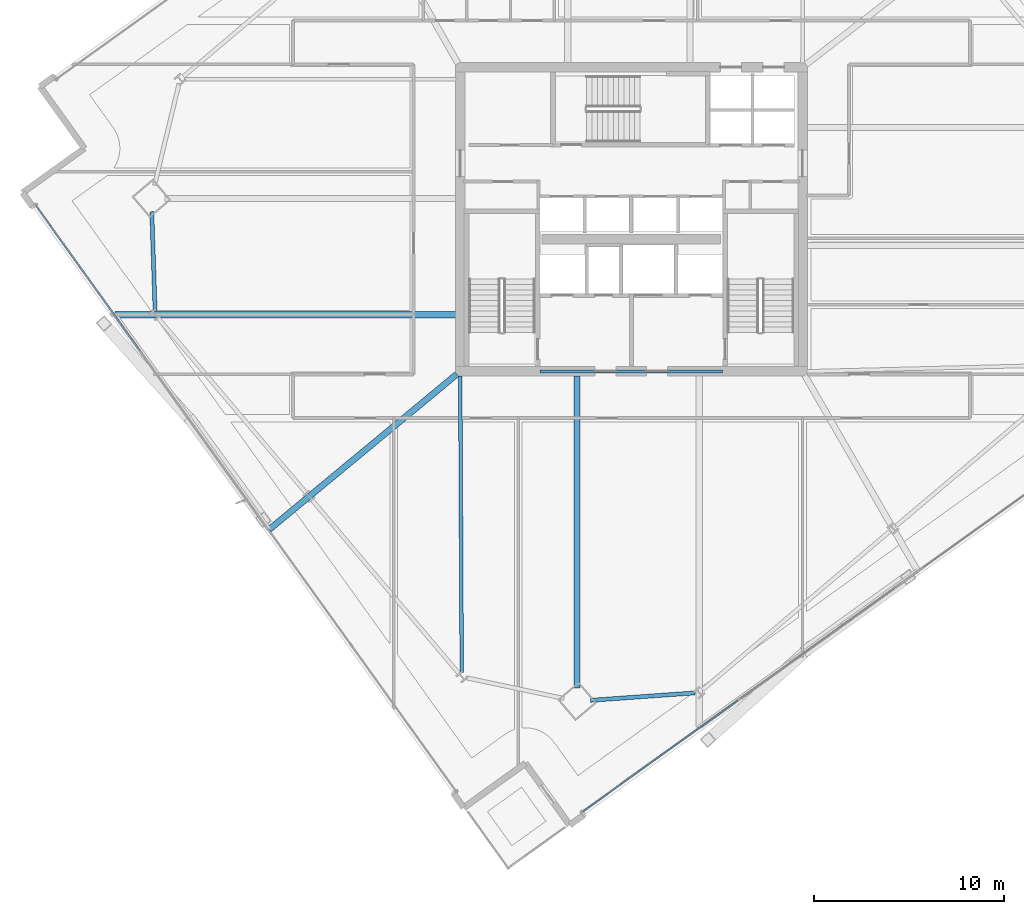
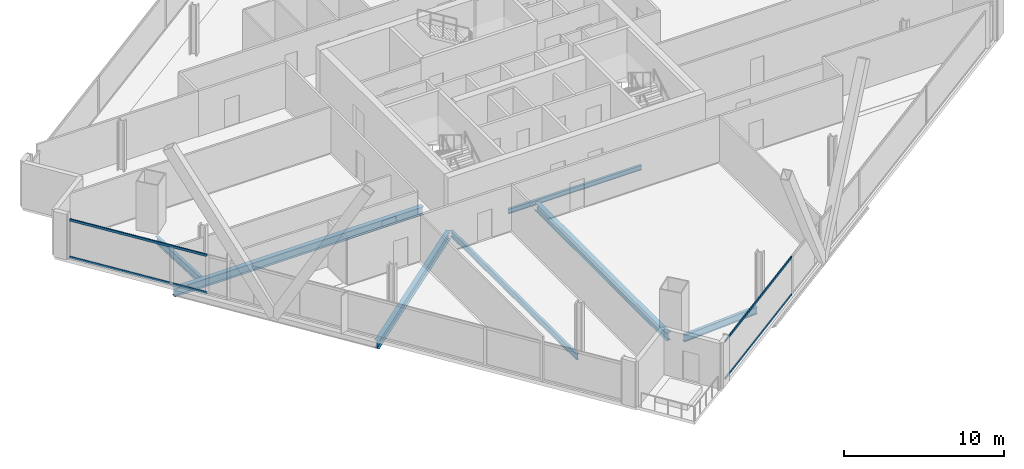
# One storey, part 5 of 33: 7 beams, 4 members, 2 elements without a shape of their own.
"""IFC4 building model written with IfcOpenShell, lengths in metres."""

from ifc_helpers import new_model, si_unit, direction, frame, origin, origin_2d, place, context, subcontext, project, spatial, hollow_rectangle, i_section, extrude, material, material_profile, profile_set, type_object, element, aggregate, save


model = new_model("IFC4")

# Units and contexts
model_context = context("Model", 3, precision=1e-05, world=origin(), true_north=direction((0.0, 1.0)))
body_context = subcontext(model_context, "Body", "Model", "MODEL_VIEW")
ifc_project = project(units=[si_unit("LENGTHUNIT", "METRE"), si_unit("AREAUNIT", "SQUARE_METRE"), si_unit("VOLUMEUNIT", "CUBIC_METRE"), si_unit("PLANEANGLEUNIT", "RADIAN"), si_unit("MASSUNIT", "GRAM", prefix="KILO")], contexts=[model_context])

# Site, building, storey
site_placement = place(None, origin())
site = spatial("IfcSite", under=ifc_project, at=site_placement, CompositionType="ELEMENT")
building_placement = place(site_placement, origin())
building = spatial("IfcBuilding", under=site, at=building_placement, Name="Haldenkirk Collegiate Tower", CompositionType="ELEMENT")
storey_placement = place(building_placement, frame((0.0, 0.0, 148.199951171875)))
storey = spatial("IfcBuildingStorey", under=building, at=storey_placement, Name="L36", CompositionType="ELEMENT", Elevation=148.199951171875)

# Beams
ifc_material_1 = material(Name="Steel ASTM A992 Grade 50", Category="steel")
ifc_material_profile_1 = material_profile(ifc_material_1, i_section(OverallWidth=0.324951171875, OverallDepth=0.615966796875, WebThickness=0.013916015625, FlangeThickness=0.021484375, at=origin_2d()), Name="W24X117")
ifc_profile_set_1 = profile_set([ifc_material_profile_1], Name="Steel ASTM A992 Grade 50")
beam_type_1 = type_object("IfcBeamType", Name="BM-GIRDER-W24X117", PredefinedType="BEAM", material=ifc_profile_set_1)
beam_1_placement = place(storey_placement, frame((33.149169921875, 1.36279296875, -0.597900390625), z_axis=(0.0, 1.0, 0.0), x_axis=(-1.0, 0.0, 0.0)))
element("IfcBeam", 1, at=beam_1_placement, inside=storey, type_object=beam_type_1, Name="L36 primary floor girder 01", PredefinedType="BEAM", context=body_context, shape_type="SweptSolid", body=[
    extrude(i_section(OverallWidth=0.324951171875, OverallDepth=0.615966796875, WebThickness=0.013916015625, FlangeThickness=0.021484375, at=origin_2d()), origin(), (0.0, 0.0, 1.0), 16.4072265625),
])
beam_2_placement = place(storey_placement, frame((8.85693359375, 20.9833984375, -0.597900390625), z_axis=(1.0, 0.0, 0.0), x_axis=(0.0, 1.0, 0.0)))
element("IfcBeam", 2, at=beam_2_placement, inside=storey, type_object=beam_type_1, Name="L36 primary floor girder 14", PredefinedType="BEAM", context=body_context, shape_type="SweptSolid", body=[
    extrude(i_section(OverallWidth=0.324951171875, OverallDepth=0.615966796875, WebThickness=0.013916015625, FlangeThickness=0.021484375, at=origin_2d()), origin(), (0.0, 0.0, 1.0), 17.9130859375),
])
beam_3_placement = place(storey_placement, frame((16.957275390625, 9.68994140625, -0.597900390625), z_axis=(0.770431132904, 0.637523230519, 0.0), x_axis=(-0.637523230519, 0.770431132904, 0.0)))
element("IfcBeam", 3, at=beam_3_placement, inside=storey, type_object=beam_type_1, Name="L36 primary floor girder 15", PredefinedType="BEAM", context=body_context, shape_type="SweptSolid", body=[
    extrude(i_section(OverallWidth=0.324951171875, OverallDepth=0.615966796875, WebThickness=0.013916015625, FlangeThickness=0.021484375, at=origin_2d()), origin(), (0.0, 0.0, 1.0), 12.80517578125),
])
ifc_material_profile_2 = material_profile(ifc_material_1, i_section(OverallWidth=0.18994140625, OverallDepth=0.45703125, WebThickness=0.009033203125, FlangeThickness=0.014404296875, at=origin_2d()), Name="W18X50")
ifc_profile_set_2 = profile_set([ifc_material_profile_2], Name="Steel ASTM A992 Grade 50")
beam_type_2 = type_object("IfcBeamType", Name="BM-JOIST-W18X50", PredefinedType="JOIST", material=ifc_profile_set_2)
beam_4_placement = place(storey_placement, frame((27.081787109375, 2.17138671875, -0.5185546875), z_axis=(-0.005164896989, 0.999986661831, 0.0), x_axis=(-0.999986661831, -0.005164896989, 0.0)))
element("IfcBeam", 4, at=beam_4_placement, inside=storey, type_object=beam_type_2, Name="L36 composite floor joist 16", PredefinedType="JOIST", context=body_context, shape_type="SweptSolid", body=[
    extrude(i_section(OverallWidth=0.18994140625, OverallDepth=0.45703125, WebThickness=0.009033203125, FlangeThickness=0.014404296875, at=origin_2d()), origin(), (0.0, 0.0, 1.0), 15.598876953125),
])
ifc_material_profile_3 = material_profile(ifc_material_1, i_section(OverallWidth=0.1708984375, OverallDepth=0.35595703125, WebThickness=0.007080078125, FlangeThickness=0.01171875, at=origin_2d()), Name="W14X34")
ifc_profile_set_3 = profile_set([ifc_material_profile_3], Name="Steel ASTM A992 Grade 50")
beam_type_3 = type_object("IfcBeamType", Name="BM-LINTEL-W14X34", PredefinedType="LINTEL", material=ifc_profile_set_3)
beam_5_placement = place(storey_placement, frame((31.199951171875, 18.0, -0.468017578125), z_axis=(1.0, 0.0, 0.0), x_axis=(0.0, 1.0, 0.0)))
element("IfcBeam", 5, at=beam_5_placement, inside=storey, type_object=beam_type_3, Name="L36 south core coupling lintel", PredefinedType="LINTEL", context=body_context, shape_type="SweptSolid", body=[
    extrude(i_section(OverallWidth=0.1708984375, OverallDepth=0.35595703125, WebThickness=0.007080078125, FlangeThickness=0.01171875, at=origin_2d()), origin(), (0.0, 0.0, 1.0), 9.60009765625),
])
ifc_material_profile_4 = material_profile(ifc_material_1, i_section(OverallWidth=0.2119140625, OverallDepth=0.5439453125, WebThickness=0.01318359375, FlangeThickness=0.021240234375, at=origin_2d()), Name="W21X83")
ifc_profile_set_4 = profile_set([ifc_material_profile_4], Name="Steel ASTM A992 Grade 50")
beam_type_4 = type_object("IfcBeamType", Name="BM-SPANDREL-W21X83", PredefinedType="SPANDREL", material=ifc_profile_set_4)
beam_6_placement = place(storey_placement, frame((33.852294921875, 0.707763671875, -0.56201171875), z_axis=(0.997489017738, 0.070821320891, 0.0), x_axis=(-0.070821320891, 0.997489017738, 0.0)))
element("IfcBeam", 6, at=beam_6_placement, inside=storey, type_object=beam_type_4, Name="L36 perimeter spandrel beam 01", PredefinedType="SPANDREL", context=body_context, shape_type="SweptSolid", body=[
    extrude(i_section(OverallWidth=0.2119140625, OverallDepth=0.5439453125, WebThickness=0.01318359375, FlangeThickness=0.021240234375, at=origin_2d()), origin(), (0.0, 0.0, 1.0), 5.501953125),
])
beam_7_placement = place(storey_placement, frame((10.7841796875, 26.399169921875, -0.56201171875), z_axis=(0.033072037576, -0.999452970545, 0.0), x_axis=(0.999452970545, 0.033072037576, 0.0)))
element("IfcBeam", 7, at=beam_7_placement, inside=storey, type_object=beam_type_4, Name="L36 perimeter spandrel beam 13", PredefinedType="SPANDREL", context=body_context, shape_type="SweptSolid", body=[
    extrude(i_section(OverallWidth=0.2119140625, OverallDepth=0.5439453125, WebThickness=0.01318359375, FlangeThickness=0.021240234375, at=origin_2d()), origin(), (0.0, 0.0, 1.0), 5.189697265625),
])

# Curtain wall, members
ifc_material_2 = material(Name="Anodised architectural bronze aluminium", Category="aluminium")
curtain_wall_type_1 = type_object("IfcCurtainWallType", Name="CW-SYS2-CONCAVE", PredefinedType="USERDEFINED", material=ifc_material_2)
curtain_wall_1_placement = place(storey_placement, origin())
curtain_wall_1 = element("IfcCurtainWall", 8, at=curtain_wall_1_placement, inside=storey, type_object=curtain_wall_type_1, Name="L36 South concave recessed bronze-anodised curtain wall", ObjectType="UNITISED CURTAIN WALL", PredefinedType="USERDEFINED")
ifc_material_profile_5 = material_profile(ifc_material_2, hollow_rectangle(XDim=0.074951171875, YDim=0.159912109375, WallThickness=0.0048828125, at=origin_2d()), Name="CW-TRN-02")
ifc_profile_set_5 = profile_set([ifc_material_profile_5], Name="Anodised architectural bronze aluminium")
member_type_1 = type_object("IfcMemberType", Name="CW-TRN-02", PredefinedType="USERDEFINED", material=ifc_profile_set_5)
member_1_placement = place(storey_placement, frame((41.604736328125, 0.706298828125, 0.03759765625), z_axis=(-0.81259960327, -0.582822344086, 0.0), x_axis=(0.582822344086, -0.81259960327, 0.0)))
member_1 = element("IfcMember", 9, at=member_1_placement, type_object=member_type_1, Name="CW-02 transom 4.1", ObjectType="TRANSOM", PredefinedType="USERDEFINED", context=body_context, shape_type="SweptSolid", body=[
    extrude(hollow_rectangle(XDim=0.074951171875, YDim=0.159912109375, WallThickness=0.0048828125, at=origin_2d()), origin(), (0.0, 0.0, 1.0), 10.03759765625),
])
member_2_placement = place(storey_placement, frame((41.604736328125, 0.706298828125, 2.87353515625), z_axis=(-0.81259960327, -0.582822344086, 0.0), x_axis=(0.582822344086, -0.81259960327, 0.0)))
member_2 = element("IfcMember", 10, at=member_2_placement, type_object=member_type_1, Name="CW-02 transom 4.2", ObjectType="TRANSOM", PredefinedType="USERDEFINED", context=body_context, shape_type="SweptSolid", body=[
    extrude(hollow_rectangle(XDim=0.074951171875, YDim=0.159912109375, WallThickness=0.0048828125, at=origin_2d()), origin(), (0.0, 0.0, 1.0), 10.03759765625),
])
aggregate(curtain_wall_1, [member_1, member_2])

curtain_wall_type_2 = type_object("IfcCurtainWallType", Name="CW-SYS1-CONVEX-LOW", PredefinedType="USERDEFINED", material=ifc_material_2)
curtain_wall_2_placement = place(storey_placement, origin())
curtain_wall_2 = element("IfcCurtainWall", 11, at=curtain_wall_2_placement, inside=storey, type_object=curtain_wall_type_2, Name="L36 Lower tower convex bronze-framed unitised curtain wall", ObjectType="UNITISED CURTAIN WALL", PredefinedType="USERDEFINED")
ifc_material_profile_6 = material_profile(ifc_material_2, hollow_rectangle(XDim=0.080078125, YDim=0.179931640625, WallThickness=0.0048828125, at=origin_2d()), Name="CW-TRN-1A")
ifc_profile_set_6 = profile_set([ifc_material_profile_6], Name="Anodised architectural bronze aluminium")
member_type_2 = type_object("IfcMemberType", Name="CW-TRN-1A", PredefinedType="USERDEFINED", material=ifc_profile_set_6)
member_3_placement = place(storey_placement, frame((10.1669921875, 19.08837890625, 0.0400390625), z_axis=(-0.582827557717, 0.812595863862, 0.0), x_axis=(-0.812595863862, -0.582827557717, 0.0)))
member_3 = element("IfcMember", 12, at=member_3_placement, type_object=member_type_2, Name="CW-1A transom 4.1", ObjectType="TRANSOM", PredefinedType="USERDEFINED", context=body_context, shape_type="SweptSolid", body=[
    extrude(hollow_rectangle(XDim=0.080078125, YDim=0.179931640625, WallThickness=0.0048828125, at=origin_2d()), origin(), (0.0, 0.0, 1.0), 9.380126953125),
])
member_4_placement = place(storey_placement, frame((10.1669921875, 19.08837890625, 2.87109375), z_axis=(-0.582827557717, 0.812595863862, 0.0), x_axis=(-0.812595863862, -0.582827557717, 0.0)))
member_4 = element("IfcMember", 13, at=member_4_placement, type_object=member_type_2, Name="CW-1A transom 4.2", ObjectType="TRANSOM", PredefinedType="USERDEFINED", context=body_context, shape_type="SweptSolid", body=[
    extrude(hollow_rectangle(XDim=0.080078125, YDim=0.179931640625, WallThickness=0.0048828125, at=origin_2d()), origin(), (0.0, 0.0, 1.0), 9.380126953125),
])
aggregate(curtain_wall_2, [member_3, member_4])

save(model, "model.ifc")
